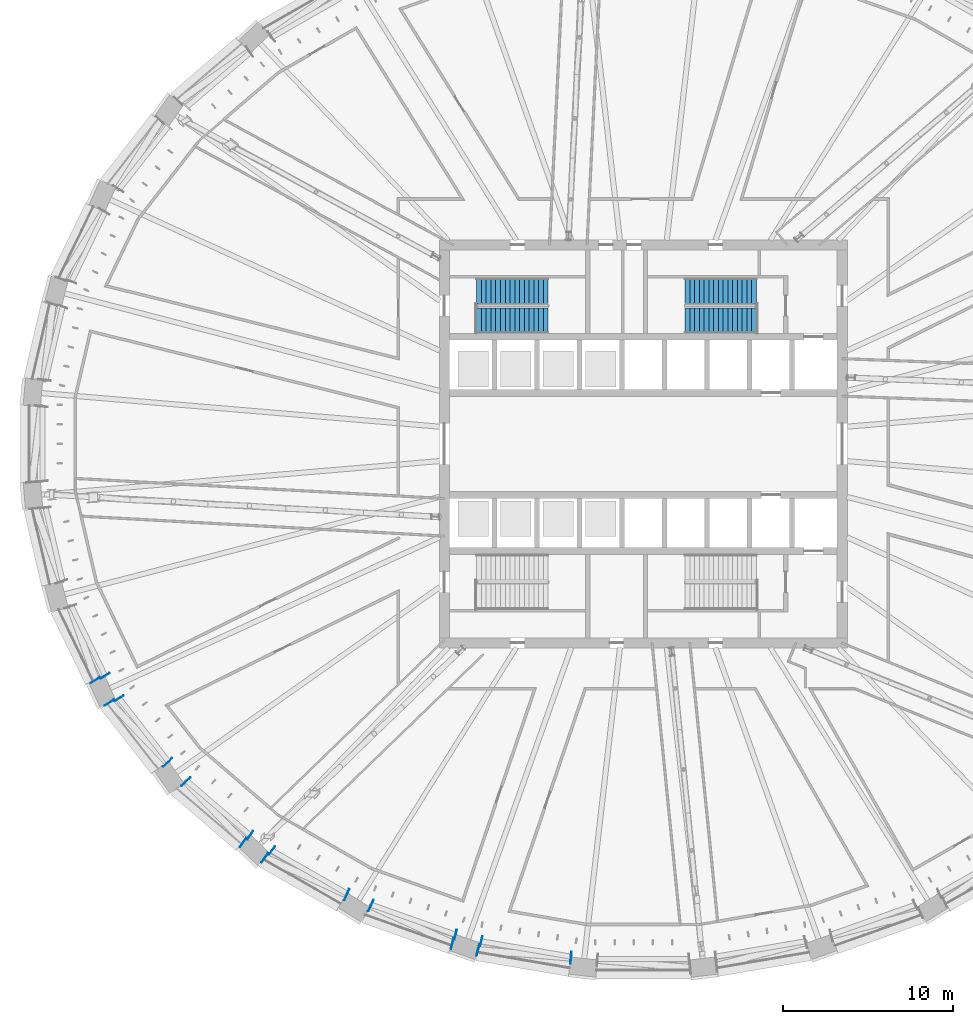
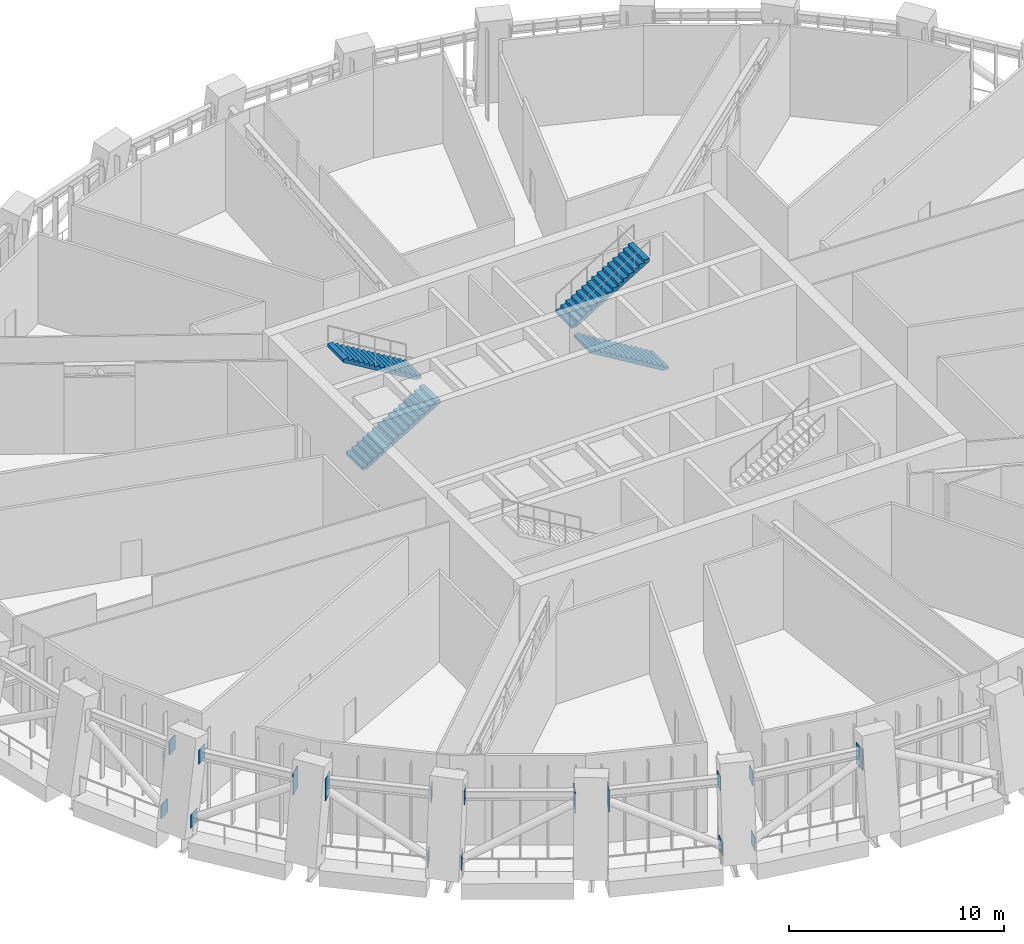
# One storey, part 12 of 22: 17 discrete accessories, 4 stair flights, 2 elements without a shape of their own.
"""IFC4 building model written with IfcOpenShell, lengths in metres."""

import ifcopenshell
import ifcopenshell.guid

model = None  # the IFC model being written
_history = None  # IfcOwnerHistory: only IFC2X3 demands one
_inside = {}  # id of a spatial element -> (the spatial element, [elements in it])
_under = {}  # id of a project, library or spatial element -> (it, [spatial elements below it])
_declared = {}  # id of a project -> (the project, [libraries it declares])
_typed = {}  # id of a type object -> (the type object, [elements of that type])
_made_of = {}  # id of a material, layer set ... -> (it, [elements and type objects made of it])


def new_model(schema):
    """Start an empty IFC model of exactly this schema.

    Asked for "IFC4X3", IfcOpenShell would pick the latest addendum, in which some entities
    have other attributes; the version numbers below select the first issue.
    IFC2X3 requires an IfcOwnerHistory on every rooted entity: one is made here for all.
    """
    global model, _history
    if schema == "IFC4X3":
        model = ifcopenshell.file(schema_version=(4, 3, 0, 0))
    else:
        model = ifcopenshell.file(schema=schema)
    _inside.clear()
    _under.clear()
    _declared.clear()
    _typed.clear()
    _made_of.clear()
    _history = None
    if model.schema == "IFC2X3":
        org = make("IfcOrganization", Name="unknown")
        user = make(
            "IfcPersonAndOrganization",
            ThePerson=make("IfcPerson", FamilyName="unknown"),
            TheOrganization=org,
        )
        app = make(
            "IfcApplication",
            ApplicationDeveloper=org,
            Version="unknown",
            ApplicationFullName="unknown",
            ApplicationIdentifier="unknown",
        )
        _history = make(
            "IfcOwnerHistory",
            OwningUser=user,
            OwningApplication=app,
            ChangeAction="ADDED",
            CreationDate=0,
        )
    return model


def make(cls, **values):
    """One entity of the class cls with the attributes given. An attribute that is None is left unset."""
    return model.create_entity(
        cls, **{name: value for name, value in values.items() if value is not None}
    )


def rooted(cls, **values):
    """An entity with a GlobalId (a new one), such as an element, a storey or a relation."""
    return make(cls, GlobalId=ifcopenshell.guid.new(), OwnerHistory=_history, **values)


def si_unit(unit_type, name, prefix=None):
    """IfcSIUnit, for example si_unit("LENGTHUNIT", "METRE", prefix="MILLI")."""
    return make("IfcSIUnit", UnitType=unit_type, Prefix=prefix, Name=name)


def assignment(units):
    """IfcUnitAssignment: the units of a project."""
    return None if units is None else make("IfcUnitAssignment", Units=units)


def point(xyz):
    """IfcCartesianPoint."""
    return None if xyz is None else make("IfcCartesianPoint", Coordinates=xyz)


def direction(xyz):
    """IfcDirection."""
    return None if xyz is None else make("IfcDirection", DirectionRatios=xyz)


def frame(location, z_axis=None, x_axis=None):
    """IfcAxis2Placement3D, a coordinate frame: its origin and axes. An axis left out is left unset."""
    return make(
        "IfcAxis2Placement3D",
        Location=point(location),
        Axis=direction(z_axis),
        RefDirection=direction(x_axis),
    )


def frame_2d(location, x_axis=None):
    """IfcAxis2Placement2D, a coordinate frame in the plane: its origin and x axis."""
    return make(
        "IfcAxis2Placement2D", Location=point(location), RefDirection=direction(x_axis)
    )


def origin():
    """The frame at (0, 0, 0) with its axes left unset."""
    return frame((0.0, 0.0, 0.0))


def origin_2d():
    """The frame at (0, 0) in the plane with its x axis left unset."""
    return frame_2d((0.0, 0.0))


def place(relative_to, where):
    """IfcLocalPlacement: puts the frame where relative to a parent placement (None: the world)."""
    return make(
        "IfcLocalPlacement", PlacementRelTo=relative_to, RelativePlacement=where
    )


def context(
    kind, dimensions, precision=None, world=None, true_north=None, identifier=None
):
    """IfcGeometricRepresentationContext, for example the 3D "Model" context."""
    return make(
        "IfcGeometricRepresentationContext",
        ContextIdentifier=identifier,
        ContextType=kind,
        CoordinateSpaceDimension=dimensions,
        Precision=precision,
        WorldCoordinateSystem=world,
        TrueNorth=true_north,
    )


def subcontext(parent, identifier, kind, view, scale=None):
    """IfcGeometricRepresentationSubContext, for example "Body" below "Model"."""
    return make(
        "IfcGeometricRepresentationSubContext",
        ContextIdentifier=identifier,
        ContextType=kind,
        ParentContext=parent,
        TargetScale=scale,
        TargetView=view,
    )


def project(units=None, contexts=None):
    """IfcProject with its units and contexts."""
    return rooted(
        "IfcProject",
        Name="project",
        RepresentationContexts=contexts,
        UnitsInContext=assignment(units),
    )


def spatial(cls, under=None, at=None, **own):
    """A site, building, storey or space (cls), placed at a placement, below another one or the project."""
    s = rooted(cls, ObjectPlacement=at, **own)
    if under is not None:
        _under.setdefault(under.id(), (under, []))[1].append(s)
    return s


def polyline(points):
    """IfcPolyline through the points."""
    return make("IfcPolyline", Points=[point(p) for p in points])


def profile(cls, at=None, kind="AREA", **sizes):
    """A parametric profile (cls). Its sizes go by their IFC names, for example OverallWidth=200.0."""
    return make(cls, ProfileType=kind, Position=at, **sizes)


def rectangle(**sizes):
    """IfcRectangleProfileDef."""
    return profile("IfcRectangleProfileDef", **sizes)


def outline(outer, holes=None, kind="AREA"):
    """IfcArbitraryClosedProfileDef: a profile drawn as a closed curve; with holes, ...WithVoids."""
    if holes is None:
        return make("IfcArbitraryClosedProfileDef", ProfileType=kind, OuterCurve=outer)
    return make(
        "IfcArbitraryProfileDefWithVoids",
        ProfileType=kind,
        OuterCurve=outer,
        InnerCurves=holes,
    )


def extrude(swept, where, along, depth):
    """IfcExtrudedAreaSolid: the profile swept, set in the frame where, extruded along a direction by depth."""
    return make(
        "IfcExtrudedAreaSolid",
        SweptArea=swept,
        Position=where,
        ExtrudedDirection=direction(along),
        Depth=depth,
    )


def shape(context_of_items, identifier, shape_type, items):
    """IfcShapeRepresentation: the items that make up one representation, for example the "Body"."""
    return make(
        "IfcShapeRepresentation",
        ContextOfItems=context_of_items,
        RepresentationIdentifier=identifier,
        RepresentationType=shape_type,
        Items=items,
    )


def material(Name=None, Category=None):
    """IfcMaterial."""
    return make("IfcMaterial", Name=Name, Category=Category)


def layer(
    of_material, thickness, ventilated=None, Name=None, Category=None, Priority=None
):
    """IfcMaterialLayer: one layer of a wall or slab, of a material (None: an air gap)."""
    return make(
        "IfcMaterialLayer",
        Material=of_material,
        LayerThickness=thickness,
        IsVentilated=ventilated,
        Name=Name,
        Category=Category,
        Priority=Priority,
    )


def layer_set(layers, Name=None):
    """IfcMaterialLayerSet."""
    return make("IfcMaterialLayerSet", MaterialLayers=layers, LayerSetName=Name)


def made_of(thing, what):
    """Note that an element or type object is made of a material, layer set ...; save() writes the relation."""
    if what is not None:
        _made_of.setdefault(what.id(), (what, []))[1].append(thing)
    return thing


def type_object(cls, material=None, **own):
    """A type object (cls), such as IfcWallType, which elements share."""
    return made_of(rooted(cls, **own), material)


def element(
    cls,
    number,
    at=None,
    inside=None,
    cuts=None,
    type_object=None,
    material=None,
    context=None,
    identifier="Body",
    shape_type=None,
    held_by="IfcProductDefinitionShape",
    body=None,
    shapes=None,
    **own,
):
    """One element of the class cls, such as IfcWall. Its Tag is "e" and its number.

    at: its placement. inside: the storey or other place that contains it. cuts: it is an
    opening in that element (IfcRelVoidsElement). A single representation is given by context,
    identifier, shape_type and body (its items); several are given by shapes. held_by: the class
    of the entity that holds the representations. save() writes the other relations.
    """
    e = rooted(cls, Tag="e%d" % number, ObjectPlacement=at, **own)
    if body is not None:
        shapes = [shape(context, identifier, shape_type, body)]
    if shapes is not None:
        e.Representation = make(held_by, Representations=shapes)
    if inside is not None:
        _inside.setdefault(inside.id(), (inside, []))[1].append(e)
    if cuts is not None:
        rooted(
            "IfcRelVoidsElement", RelatingBuildingElement=cuts, RelatedOpeningElement=e
        )
    if type_object is not None:
        _typed.setdefault(type_object.id(), (type_object, []))[1].append(e)
    return made_of(e, material)


def aggregate(whole, parts):
    """IfcRelAggregates: a whole, such as a stair, and the parts it consists of."""
    return rooted("IfcRelAggregates", RelatingObject=whole, RelatedObjects=parts)


def save(model, path):
    """Write the relations noted so far, then the file.

    IfcRelAggregates (storeys below a building ...), IfcRelContainedInSpatialStructure (elements
    in a storey), IfcRelDefinesByType, IfcRelAssociatesMaterial and IfcRelDeclares: one each for
    every whole, place, type object, material and project.
    """
    for whole, parts in _under.values():
        aggregate(whole, parts)
    for where, things in _inside.values():
        rooted(
            "IfcRelContainedInSpatialStructure",
            RelatedElements=things,
            RelatingStructure=where,
        )
    for kind, things in _typed.values():
        rooted("IfcRelDefinesByType", RelatedObjects=things, RelatingType=kind)
    for what, things in _made_of.values():
        rooted("IfcRelAssociatesMaterial", RelatedObjects=things, RelatingMaterial=what)
    for by, libraries in _declared.values():
        rooted("IfcRelDeclares", RelatingContext=by, RelatedDefinitions=libraries)
    model.write(path)


model = new_model("IFC4")

# Units and contexts
model_context = context("Model", 3, precision=1e-05, world=origin(), true_north=direction((0.0, 1.0)))
body_context = subcontext(model_context, "Body", "Model", "MODEL_VIEW")
ifc_project = project(units=[si_unit("LENGTHUNIT", "METRE"), si_unit("AREAUNIT", "SQUARE_METRE"), si_unit("VOLUMEUNIT", "CUBIC_METRE"), si_unit("PLANEANGLEUNIT", "RADIAN"), si_unit("MASSUNIT", "GRAM", prefix="KILO")], contexts=[model_context])

# Site, building, storey
site_placement = place(None, origin())
site = spatial("IfcSite", under=ifc_project, at=site_placement, CompositionType="ELEMENT")
building_placement = place(site_placement, origin())
building = spatial("IfcBuilding", under=site, at=building_placement, Name="Halqa Exchange Tower", CompositionType="ELEMENT")
storey_placement = place(building_placement, frame((0.0, 0.0, 99.10009765625)))
storey = spatial("IfcBuildingStorey", under=building, at=storey_placement, Name="L22", CompositionType="ELEMENT", Elevation=99.10009765625)

# Stair, stair flights
ifc_material_1 = material(Name="Concrete C30/37", Category="concrete")
stair_type = type_object("IfcStairType", Name="Exit stair 1500 wide", PredefinedType="HALF_TURN_STAIR", material=ifc_material_1)
stair_1_placement = place(storey_placement, origin())
stair_1 = element("IfcStair", 1, at=stair_1_placement, inside=storey, type_object=stair_type, Name="Exit stair ST1", PredefinedType="HALF_TURN_STAIR")
stair_flight_type = type_object("IfcStairFlightType", Name="Stair flight 1500 wide", PredefinedType="STRAIGHT", material=ifc_material_1)
stair_flight_1_placement = place(storey_placement, frame((-9.800048828125, 7.25, 0.0), z_axis=(0.0, 0.0, 1.0), x_axis=(1.0, 0.0, 0.0)))
stair_flight_1 = element("IfcStairFlight", 2, at=stair_flight_1_placement, type_object=stair_flight_type, Name="ST1 flight 1", NumberOfRisers=16, NumberOfTreads=15, PredefinedType="STRAIGHT", RiserHeight=0.16875, TreadLength=0.28, context=body_context, shape_type="SweptSolid", body=[
    extrude(outline(polyline([(0.0, 0.0), (0.0, 0.168701171875), (0.280029296875, 0.168701171875), (0.280029296875, 0.33740234375), (0.56005859375, 0.33740234375), (0.56005859375, 0.50634765625), (0.840087890625, 0.50634765625), (0.840087890625, 0.675048828125), (1.1201171875, 0.675048828125), (1.1201171875, 0.84375), (1.39990234375, 0.84375), (1.39990234375, 1.012451171875), (1.679931640625, 1.012451171875), (1.679931640625, 1.18115234375), (1.9599609375, 1.18115234375), (1.9599609375, 1.35009765625), (2.239990234375, 1.35009765625), (2.239990234375, 1.518798828125), (2.52001953125, 1.518798828125), (2.52001953125, 1.6875), (2.800048828125, 1.6875), (2.800048828125, 1.856201171875), (3.080078125, 1.856201171875), (3.080078125, 2.02490234375), (3.360107421875, 2.02490234375), (3.360107421875, 2.19384765625), (3.639892578125, 2.19384765625), (3.639892578125, 2.362548828125), (3.919921875, 2.362548828125), (3.919921875, 2.53125), (4.199951171875, 2.53125), (4.199951171875, 2.699951171875), (4.199951171875, 2.356201171875), (0.29052734375, 0.0), (0.0, 0.0)])), frame((0.0, 0.75, 0.0), z_axis=(0.0, -1.0, 0.0), x_axis=(1.0, 0.0, 0.0)), (0.0, 0.0, 1.0), 1.5),
])
stair_flight_2_placement = place(storey_placement, frame((-5.60009765625, 9.0, 2.699951171875), z_axis=(0.0, 0.0, 1.0), x_axis=(-1.0, 0.0, 0.0)))
stair_flight_2 = element("IfcStairFlight", 3, at=stair_flight_2_placement, type_object=stair_flight_type, Name="ST1 flight 2", NumberOfRisers=16, NumberOfTreads=15, PredefinedType="STRAIGHT", RiserHeight=0.16875, TreadLength=0.28, context=body_context, shape_type="SweptSolid", body=[
    extrude(outline(polyline([(0.0, 0.0), (0.0, 0.168701171875), (0.280029296875, 0.168701171875), (0.280029296875, 0.33740234375), (0.56005859375, 0.33740234375), (0.56005859375, 0.50634765625), (0.840087890625, 0.50634765625), (0.840087890625, 0.675048828125), (1.1201171875, 0.675048828125), (1.1201171875, 0.84375), (1.39990234375, 0.84375), (1.39990234375, 1.012451171875), (1.679931640625, 1.012451171875), (1.679931640625, 1.18115234375), (1.9599609375, 1.18115234375), (1.9599609375, 1.35009765625), (2.239990234375, 1.35009765625), (2.239990234375, 1.518798828125), (2.52001953125, 1.518798828125), (2.52001953125, 1.6875), (2.800048828125, 1.6875), (2.800048828125, 1.856201171875), (3.080078125, 1.856201171875), (3.080078125, 2.02490234375), (3.360107421875, 2.02490234375), (3.360107421875, 2.19384765625), (3.639892578125, 2.19384765625), (3.639892578125, 2.362548828125), (3.919921875, 2.362548828125), (3.919921875, 2.53125), (4.199951171875, 2.53125), (4.199951171875, 2.699951171875), (4.199951171875, 2.356201171875), (0.29052734375, 0.0), (0.0, 0.0)])), frame((0.0, 0.75, 0.0), z_axis=(0.0, -1.0, 0.0), x_axis=(1.0, 0.0, 0.0)), (0.0, 0.0, 1.0), 1.5),
])
aggregate(stair_1, [stair_flight_1, stair_flight_2])

stair_2_placement = place(storey_placement, origin())
stair_2 = element("IfcStair", 4, at=stair_2_placement, inside=storey, type_object=stair_type, Name="Exit stair ST2", PredefinedType="HALF_TURN_STAIR")
stair_flight_3_placement = place(storey_placement, frame((6.64990234375, 7.25, 0.0), z_axis=(0.0, 0.0, 1.0), x_axis=(-1.0, 0.0, 0.0)))
stair_flight_3 = element("IfcStairFlight", 5, at=stair_flight_3_placement, type_object=stair_flight_type, Name="ST2 flight 1", NumberOfRisers=16, NumberOfTreads=15, PredefinedType="STRAIGHT", RiserHeight=0.16875, TreadLength=0.28, context=body_context, shape_type="SweptSolid", body=[
    extrude(outline(polyline([(0.0, 0.0), (0.0, 0.168701171875), (0.280029296875, 0.168701171875), (0.280029296875, 0.33740234375), (0.56005859375, 0.33740234375), (0.56005859375, 0.50634765625), (0.840087890625, 0.50634765625), (0.840087890625, 0.675048828125), (1.1201171875, 0.675048828125), (1.1201171875, 0.84375), (1.39990234375, 0.84375), (1.39990234375, 1.012451171875), (1.679931640625, 1.012451171875), (1.679931640625, 1.18115234375), (1.9599609375, 1.18115234375), (1.9599609375, 1.35009765625), (2.239990234375, 1.35009765625), (2.239990234375, 1.518798828125), (2.52001953125, 1.518798828125), (2.52001953125, 1.6875), (2.800048828125, 1.6875), (2.800048828125, 1.856201171875), (3.080078125, 1.856201171875), (3.080078125, 2.02490234375), (3.360107421875, 2.02490234375), (3.360107421875, 2.19384765625), (3.639892578125, 2.19384765625), (3.639892578125, 2.362548828125), (3.919921875, 2.362548828125), (3.919921875, 2.53125), (4.199951171875, 2.53125), (4.199951171875, 2.699951171875), (4.199951171875, 2.356201171875), (0.29052734375, 0.0), (0.0, 0.0)])), frame((0.0, 0.75, 0.0), z_axis=(0.0, -1.0, 0.0), x_axis=(1.0, 0.0, 0.0)), (0.0, 0.0, 1.0), 1.5),
])
stair_flight_4_placement = place(storey_placement, frame((2.449951171875, 9.0, 2.699951171875), z_axis=(0.0, 0.0, 1.0), x_axis=(1.0, 0.0, 0.0)))
stair_flight_4 = element("IfcStairFlight", 6, at=stair_flight_4_placement, type_object=stair_flight_type, Name="ST2 flight 2", NumberOfRisers=16, NumberOfTreads=15, PredefinedType="STRAIGHT", RiserHeight=0.16875, TreadLength=0.28, context=body_context, shape_type="SweptSolid", body=[
    extrude(outline(polyline([(0.0, 0.0), (0.0, 0.168701171875), (0.280029296875, 0.168701171875), (0.280029296875, 0.33740234375), (0.56005859375, 0.33740234375), (0.56005859375, 0.50634765625), (0.840087890625, 0.50634765625), (0.840087890625, 0.675048828125), (1.1201171875, 0.675048828125), (1.1201171875, 0.84375), (1.39990234375, 0.84375), (1.39990234375, 1.012451171875), (1.679931640625, 1.012451171875), (1.679931640625, 1.18115234375), (1.9599609375, 1.18115234375), (1.9599609375, 1.35009765625), (2.239990234375, 1.35009765625), (2.239990234375, 1.518798828125), (2.52001953125, 1.518798828125), (2.52001953125, 1.6875), (2.800048828125, 1.6875), (2.800048828125, 1.856201171875), (3.080078125, 1.856201171875), (3.080078125, 2.02490234375), (3.360107421875, 2.02490234375), (3.360107421875, 2.19384765625), (3.639892578125, 2.19384765625), (3.639892578125, 2.362548828125), (3.919921875, 2.362548828125), (3.919921875, 2.53125), (4.199951171875, 2.53125), (4.199951171875, 2.699951171875), (4.199951171875, 2.356201171875), (0.29052734375, 0.0), (0.0, 0.0)])), frame((0.0, 0.75, 0.0), z_axis=(0.0, -1.0, 0.0), x_axis=(1.0, 0.0, 0.0)), (0.0, 0.0, 1.0), 1.5),
])
aggregate(stair_2, [stair_flight_3, stair_flight_4])

# Discrete accessories
ifc_material_2 = material(Name="Steel S355", Category="steel")
ifc_layer = layer(ifc_material_2, 0.0400390625)
ifc_layer_set = layer_set([ifc_layer], Name="Steel S355")
discrete_accessory_type = type_object("IfcDiscreteAccessoryType", Name="Belt truss anchor plate 40", PredefinedType="ANCHORPLATE", material=ifc_layer_set)
for number, where, z_axis, x_axis, name in (
    (7, (-30.839599609375, -14.947021484375, 4.25), (0.530546985787, -0.847655529016, 0.0), (0.847655529016, 0.530546985787, 0.0), "Belt truss anchor plate"),
    (8, (-31.641845703125, -13.656005859375, 4.25), (-0.530546985787, 0.847655529016, 0.0), (-0.847655529016, -0.530546985787, 0.0), "Belt truss anchor plate"),
):
    element("IfcDiscreteAccessory", number, at=place(storey_placement, frame(where, z_axis=z_axis, x_axis=x_axis)), inside=storey, type_object=discrete_accessory_type, Name=name, PredefinedType="ANCHORPLATE", context=body_context, shape_type="SweptSolid", body=[
        extrude(rectangle(XDim=0.60009765625, YDim=0.800048828125, at=origin_2d()), origin(), (0.0, 0.0, 1.0), 0.0400390625),
    ])
discrete_accessory_1_placement = place(storey_placement, frame((-31.40771484375, -15.19970703125, 0.956787109375), z_axis=(0.527815847616, -0.849358835243, 0.0), x_axis=(0.849358835243, 0.527815847616, 0.0)))
element("IfcDiscreteAccessory", 9, at=discrete_accessory_1_placement, inside=storey, type_object=discrete_accessory_type, Name="Belt truss anchor plate", PredefinedType="ANCHORPLATE", context=body_context, shape_type="SweptSolid", body=[
    extrude(rectangle(XDim=0.64990234375, YDim=0.77001953125, at=origin_2d()), origin(), (0.0, 0.0, 1.0), 0.040283203125),
])
discrete_accessory_2_placement = place(storey_placement, frame((-32.2080078125, -13.90771484375, 0.98291015625), z_axis=(-0.526143980405, 0.850395503212, 0.0), x_axis=(-0.850395503212, -0.526143980405, 0.0)))
element("IfcDiscreteAccessory", 10, at=discrete_accessory_2_placement, inside=storey, type_object=discrete_accessory_type, Name="Belt truss anchor plate", PredefinedType="ANCHORPLATE", context=body_context, shape_type="SweptSolid", body=[
    extrude(rectangle(XDim=0.64111328125, YDim=0.77587890625, at=origin_2d()), origin(), (0.0, 0.0, 1.0), 0.039794921875),
])
discrete_accessory_3_placement = place(storey_placement, frame((-26.909912109375, -19.845947265625, 4.0341796875), z_axis=(0.694812020929, -0.719191390085, 0.0), x_axis=(0.719191390085, 0.694812020929, 0.0)))
element("IfcDiscreteAccessory", 11, at=discrete_accessory_3_placement, inside=storey, type_object=discrete_accessory_type, Name="Belt truss anchor plate", PredefinedType="ANCHORPLATE", context=body_context, shape_type="SweptSolid", body=[
    extrude(rectangle(XDim=0.72900390625, YDim=1.23193359375, at=origin_2d()), origin(), (0.0, 0.0, 1.0), 0.0400390625),
])
discrete_accessory_4_placement = place(storey_placement, frame((-27.960205078125, -18.747314453125, 4.033935546875), z_axis=(-0.68858929503, 0.725151558483, 0.0), x_axis=(-0.725151558483, -0.68858929503, 0.0)))
element("IfcDiscreteAccessory", 12, at=discrete_accessory_4_placement, inside=storey, type_object=discrete_accessory_type, Name="Belt truss anchor plate", PredefinedType="ANCHORPLATE", context=body_context, shape_type="SweptSolid", body=[
    extrude(rectangle(XDim=0.73193359375, YDim=1.23193359375, at=origin_2d()), origin(), (0.0, 0.0, 1.0), 0.0400390625),
])
for number, where, z_axis, x_axis, name in (
    (13, (-21.859619140625, -23.901611328125, 4.25), (0.815785116082, -0.57835511961, 0.0), (0.57835511961, 0.815785116082, 0.0), "Belt truss anchor plate"),
    (14, (-23.1015625, -23.025390625, 4.25), (-0.81865747399, 0.57428210862, 0.0), (-0.57428210862, -0.81865747399, 0.0), "Belt truss anchor plate"),
):
    element("IfcDiscreteAccessory", number, at=place(storey_placement, frame(where, z_axis=z_axis, x_axis=x_axis)), inside=storey, type_object=discrete_accessory_type, Name=name, PredefinedType="ANCHORPLATE", context=body_context, shape_type="SweptSolid", body=[
        extrude(rectangle(XDim=0.60009765625, YDim=0.800048828125, at=origin_2d()), origin(), (0.0, 0.0, 1.0), 0.0400390625),
    ])
discrete_accessory_5_placement = place(storey_placement, frame((-22.27001953125, -24.319091796875, 0.929443359375), z_axis=(0.81865747399, -0.57428210862, 0.0), x_axis=(0.57428210862, 0.81865747399, 0.0)))
element("IfcDiscreteAccessory", 15, at=discrete_accessory_5_placement, inside=storey, type_object=discrete_accessory_type, Name="Belt truss anchor plate", PredefinedType="ANCHORPLATE", context=body_context, shape_type="SweptSolid", body=[
    extrude(rectangle(XDim=0.6689453125, YDim=0.762939453125, at=origin_2d()), origin(), (0.0, 0.0, 1.0), 0.0400390625),
])
discrete_accessory_6_placement = place(storey_placement, frame((-23.5107421875, -23.44091796875, 0.955322265625), z_axis=(-0.81865747399, 0.57428210862, 0.0), x_axis=(-0.57428210862, -0.81865747399, 0.0)))
element("IfcDiscreteAccessory", 16, at=discrete_accessory_6_placement, inside=storey, type_object=discrete_accessory_type, Name="Belt truss anchor plate", PredefinedType="ANCHORPLATE", context=body_context, shape_type="SweptSolid", body=[
    extrude(rectangle(XDim=0.659912109375, YDim=0.77001953125, at=origin_2d()), origin(), (0.0, 0.0, 1.0), 0.0400390625),
])
discrete_accessory_7_placement = place(storey_placement, frame((-16.04150390625, -27.14697265625, 4.0478515625), z_axis=(0.908676843963, -0.417500171551, 0.0), x_axis=(0.417500171551, 0.908676843963, 0.0)))
element("IfcDiscreteAccessory", 17, at=discrete_accessory_7_placement, inside=storey, type_object=discrete_accessory_type, Name="Belt truss anchor plate", PredefinedType="ANCHORPLATE", context=body_context, shape_type="SweptSolid", body=[
    extrude(rectangle(XDim=0.721923828125, YDim=1.2041015625, at=origin_2d()), origin(), (0.0, 0.0, 1.0), 0.039794921875),
])
discrete_accessory_8_placement = place(storey_placement, frame((-17.423095703125, -26.51318359375, 4.0478515625), z_axis=(-0.91078189984, 0.412887794594, 0.0), x_axis=(-0.412887794594, -0.91078189984, 0.0)))
element("IfcDiscreteAccessory", 18, at=discrete_accessory_8_placement, inside=storey, type_object=discrete_accessory_type, Name="Belt truss anchor plate", PredefinedType="ANCHORPLATE", context=body_context, shape_type="SweptSolid", body=[
    extrude(rectangle(XDim=0.722900390625, YDim=1.2041015625, at=origin_2d()), origin(), (0.0, 0.0, 1.0), 0.040283203125),
])
for number, where, z_axis, x_axis, name in (
    (19, (-9.5537109375, -29.24755859375, 4.25), (0.968324838627, -0.249693826313, 0.0), (0.249693826313, 0.968324838627, 0.0), "Belt truss anchor plate"),
    (20, (-11.0244140625, -28.864013671875, 4.25), (-0.968324838627, 0.249693826313, 0.0), (-0.249693826313, -0.968324838627, 0.0), "Belt truss anchor plate"),
):
    element("IfcDiscreteAccessory", number, at=place(storey_placement, frame(where, z_axis=z_axis, x_axis=x_axis)), inside=storey, type_object=discrete_accessory_type, Name=name, PredefinedType="ANCHORPLATE", context=body_context, shape_type="SweptSolid", body=[
        extrude(rectangle(XDim=0.60009765625, YDim=0.800048828125, at=origin_2d()), origin(), (0.0, 0.0, 1.0), 0.0400390625),
    ])
discrete_accessory_9_placement = place(storey_placement, frame((-9.741943359375, -29.76611328125, 0.916748046875), z_axis=(0.968324838627, -0.249693826313, 0.0), x_axis=(0.249693826313, 0.968324838627, 0.0)))
element("IfcDiscreteAccessory", 21, at=discrete_accessory_9_placement, inside=storey, type_object=discrete_accessory_type, Name="Belt truss anchor plate", PredefinedType="ANCHORPLATE", context=body_context, shape_type="SweptSolid", body=[
    extrude(rectangle(XDim=0.678955078125, YDim=0.760009765625, at=origin_2d()), origin(), (0.0, 0.0, 1.0), 0.0400390625),
])
discrete_accessory_10_placement = place(storey_placement, frame((-11.21240234375, -29.381591796875, 0.928955078125), z_axis=(-0.968324838627, 0.249693826313, 0.0), x_axis=(-0.249693826313, -0.968324838627, 0.0)))
element("IfcDiscreteAccessory", 22, at=discrete_accessory_10_placement, inside=storey, type_object=discrete_accessory_type, Name="Belt truss anchor plate", PredefinedType="ANCHORPLATE", context=body_context, shape_type="SweptSolid", body=[
    extrude(rectangle(XDim=0.675048828125, YDim=0.762939453125, at=origin_2d()), origin(), (0.0, 0.0, 1.0), 0.0400390625),
])
discrete_accessory_11_placement = place(storey_placement, frame((-4.23681640625, -30.214111328125, 4.0546875), z_axis=(-0.996331773833, 0.085574508182, 0.0), x_axis=(-0.085574508182, -0.996331773833, 0.0)))
element("IfcDiscreteAccessory", 23, at=discrete_accessory_11_placement, inside=storey, type_object=discrete_accessory_type, Name="Belt truss anchor plate", PredefinedType="ANCHORPLATE", context=body_context, shape_type="SweptSolid", body=[
    extrude(rectangle(XDim=0.718994140625, YDim=1.19091796875, at=origin_2d()), origin(), (0.0, 0.0, 1.0), 0.0400390625),
])

save(model, "model.ifc")
